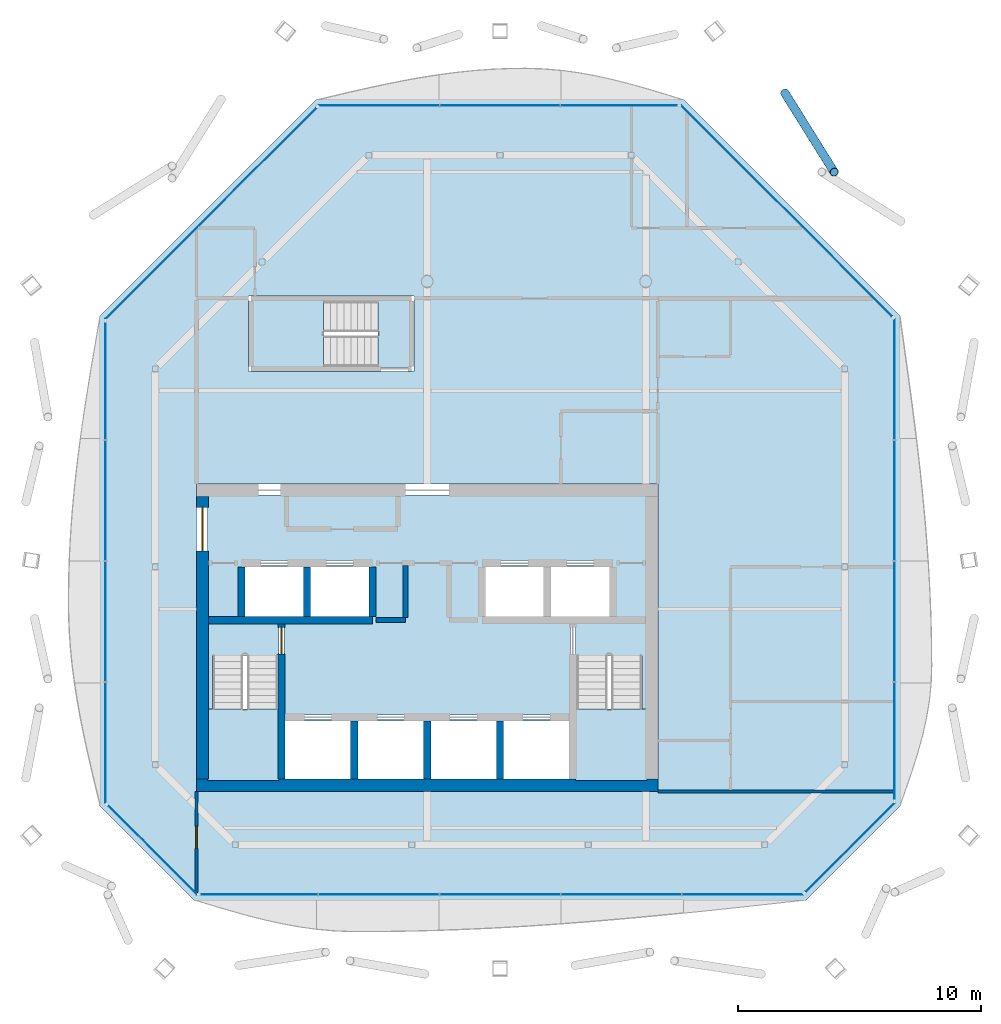
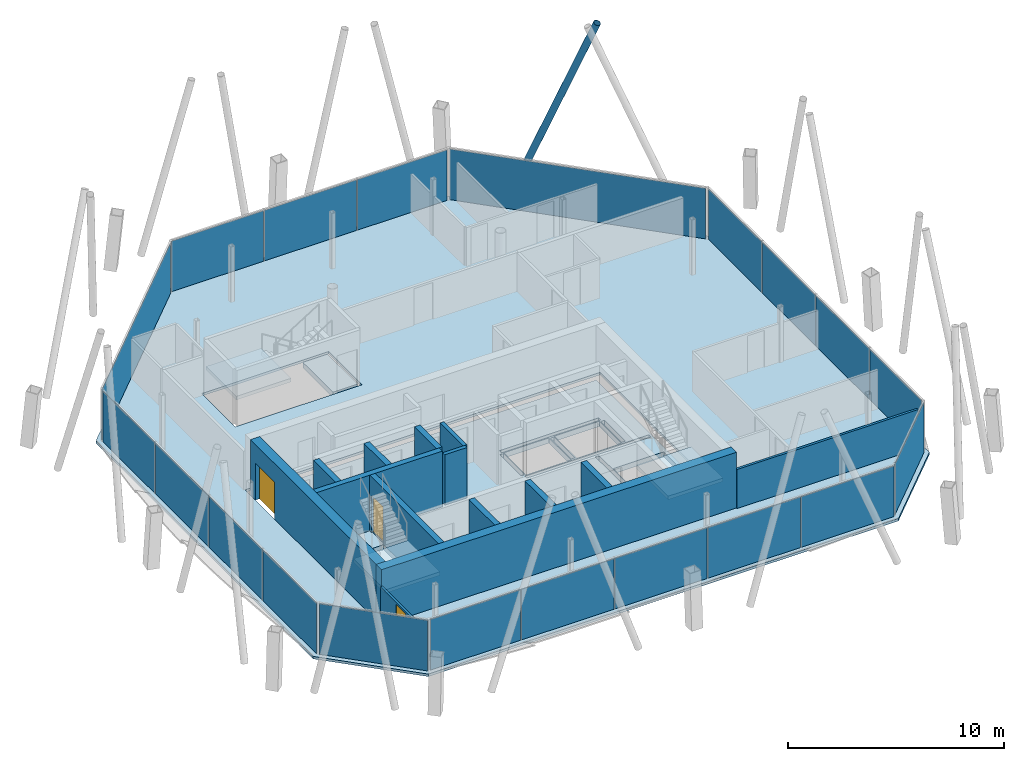
# One storey, part 9 of 14: 20 plates, 14 walls, 6 slabs, 3 doors, 1 member, 3 openings, 11 elements without a shape of their own.
"""IFC4 building model written with IfcOpenShell, lengths in metres."""

from ifc_helpers import new_model, si_unit, direction, frame, frame_2d, origin, origin_2d, place, context, subcontext, project, spatial, polyline, rectangle, hollow_circle, outline, extrude, material, layer, layer_set, material_profile, profile_set, type_object, element, fill, aggregate, save


model = new_model("IFC4")

# Units and contexts
model_context = context("Model", 3, precision=1e-05, world=origin(), true_north=direction((0.0, 1.0)))
body_context = subcontext(model_context, "Body", "Model", "MODEL_VIEW")
ifc_project = project(units=[si_unit("LENGTHUNIT", "METRE"), si_unit("AREAUNIT", "SQUARE_METRE"), si_unit("VOLUMEUNIT", "CUBIC_METRE"), si_unit("PLANEANGLEUNIT", "RADIAN"), si_unit("MASSUNIT", "GRAM", prefix="KILO")], contexts=[model_context])

# Site, building, storey
site_placement = place(None, origin())
site = spatial("IfcSite", under=ifc_project, at=site_placement, CompositionType="ELEMENT")
building_placement = place(site_placement, origin())
building = spatial("IfcBuilding", under=site, at=building_placement, Name="Tskaro Facet Tower", CompositionType="ELEMENT")
storey_placement = place(building_placement, frame((0.0, 0.0, 268.949951171875)))
storey = spatial("IfcBuildingStorey", under=building, at=storey_placement, Name="L71", CompositionType="ELEMENT", Elevation=268.949951171875)

# Member
ifc_material_1 = material(Name="Steel S355J2H", Category="steel")
ifc_material_profile = material_profile(ifc_material_1, hollow_circle(Radius=0.177734375, WallThickness=0.01611328125, at=origin_2d()), Name="CHS 355.6x16")
ifc_profile_set = profile_set([ifc_material_profile], Name="Steel S355J2H")
member_type = type_object("IfcMemberType", Name="CHS 355.6x16 brace", PredefinedType="BRACE", material=ifc_profile_set)
member_placement = place(storey_placement, frame((14.730224609375, 16.759033203125, 0.0), z_axis=(0.199244037446, -0.31955632288, 0.926383057946), x_axis=(0.848569080669, 0.529084601301, 0.0)))
element("IfcMember", 1, at=member_placement, inside=storey, type_object=member_type, Name="CHS 355.6x16 XB06B/6", PredefinedType="BRACE", context=body_context, shape_type="SweptSolid", body=[
    extrude(hollow_circle(Radius=0.177734375, WallThickness=0.01611328125, at=origin_2d()), origin(), (0.0, 0.0, 1.0), 10.200927734375),
])

# Slab
ifc_material_2 = material(Name="Concrete C30/37", Category="concrete")
ifc_layer_1 = layer(ifc_material_2, 0.139892578125, Name="Concrete C30/37")
ifc_layer_set_1 = layer_set([ifc_layer_1], Name="Concrete C30/37")
slab_type_1 = type_object("IfcSlabType", Name="Composite deck floor slab", PredefinedType="FLOOR", material=ifc_layer_set_1)
slab_1_placement = place(storey_placement, frame((0.0, 0.0, -0.139892578125)))
element("IfcSlab", 2, at=slab_1_placement, inside=storey, type_object=slab_type_1, Name="Floor slab FS3 L71", PredefinedType="FLOOR", context=body_context, shape_type="SweptSolid", body=[
    extrude(outline(polyline([(-9.5830078125, -16.49609375), (15.5830078125, -16.49609375), (19.49609375, -12.5830078125), (19.49609375, 7.56103515625), (10.56103515625, 16.49609375), (-4.56103515625, 16.49609375), (-13.49609375, 7.56103515625), (-13.49609375, -12.5830078125), (-9.5830078125, -16.49609375)]), holes=[polyline([(-9.5, -12.0), (9.5, -12.0), (9.5, 0.64990234375), (-9.5, 0.64990234375), (-9.5, -12.0)]), polyline([(-7.35009765625, 5.300048828125), (-0.550048828125, 5.300048828125), (-0.550048828125, 8.39990234375), (-7.35009765625, 8.39990234375), (-7.35009765625, 5.300048828125)])]), origin(), (0.0, 0.0, 1.0), 0.139892578125),
])

# Curtain wall, plates
ifc_material_3 = material(Name="Bronze anodised aluminium 6063-T6", Category="aluminium")
curtain_wall_type = type_object("IfcCurtainWallType", Name="Bronze residence curtain wall (FW3)", PredefinedType="NOTDEFINED", material=ifc_material_3)
curtain_wall_1_placement = place(storey_placement, origin())
curtain_wall_1 = element("IfcCurtainWall", 3, at=curtain_wall_1_placement, inside=storey, type_object=curtain_wall_type, Name="FW3 south facet L71", PredefinedType="NOTDEFINED")
ifc_material_4 = material(Name="Bronze low-iron glass", Category="glass")
ifc_layer_2 = layer(ifc_material_4, 0.028076171875, Name="Bronze low-iron glass")
ifc_layer_set_2 = layer_set([ifc_layer_2], Name="Bronze low-iron glass")
plate_type = type_object("IfcPlateType", Name="FW3 bronze-tinted unit glazing 28", PredefinedType="CURTAIN_PANEL", material=ifc_layer_set_2)
plate_1_placement = place(storey_placement, frame((-6.92578125, -16.24609375, 0.0), z_axis=(0.0, 0.0, 1.0), x_axis=(1.0, 0.0, 0.0)))
plate_1 = element("IfcPlate", 4, at=plate_1_placement, type_object=plate_type, Name="FW3 south glazing 1.1", PredefinedType="CURTAIN_PANEL", context=body_context, shape_type="SweptSolid", body=[
    extrude(rectangle(XDim=4.82666015625, YDim=0.028076171875, at=origin_2d()), origin(), (0.0, 0.0, 1.0), 2.860107421875),
])
plate_2_placement = place(storey_placement, frame((-1.99169921875, -16.24609375, 0.0), z_axis=(0.0, 0.0, 1.0), x_axis=(1.0, 0.0, 0.0)))
plate_2 = element("IfcPlate", 5, at=plate_2_placement, type_object=plate_type, Name="FW3 south glazing 2.1", PredefinedType="CURTAIN_PANEL", context=body_context, shape_type="SweptSolid", body=[
    extrude(rectangle(XDim=4.941650390625, YDim=0.028076171875, at=origin_2d()), origin(), (0.0, 0.0, 1.0), 2.860107421875),
])
plate_3_placement = place(storey_placement, frame((3.0, -16.24609375, 0.0), z_axis=(0.0, 0.0, 1.0), x_axis=(1.0, 0.0, 0.0)))
plate_3 = element("IfcPlate", 6, at=plate_3_placement, type_object=plate_type, Name="FW3 south glazing 3.1", PredefinedType="CURTAIN_PANEL", context=body_context, shape_type="SweptSolid", body=[
    extrude(rectangle(XDim=4.941650390625, YDim=0.028076171875, at=origin_2d()), origin(), (0.0, 0.0, 1.0), 2.860107421875),
])
plate_4_placement = place(storey_placement, frame((7.99169921875, -16.24609375, 0.0), z_axis=(0.0, 0.0, 1.0), x_axis=(1.0, 0.0, 0.0)))
plate_4 = element("IfcPlate", 7, at=plate_4_placement, type_object=plate_type, Name="FW3 south glazing 4.1", PredefinedType="CURTAIN_PANEL", context=body_context, shape_type="SweptSolid", body=[
    extrude(rectangle(XDim=4.941650390625, YDim=0.028076171875, at=origin_2d()), origin(), (0.0, 0.0, 1.0), 2.860107421875),
])
plate_5_placement = place(storey_placement, frame((12.99560546875, -16.24609375, 0.0), z_axis=(0.0, 0.0, 1.0), x_axis=(1.0, 0.0, 0.0)))
plate_5 = element("IfcPlate", 8, at=plate_5_placement, type_object=plate_type, Name="FW3 south glazing 5.1", PredefinedType="CURTAIN_PANEL", context=body_context, shape_type="SweptSolid", body=[
    extrude(rectangle(XDim=4.966552734375, YDim=0.028076171875, at=origin_2d()), origin(), (0.0, 0.0, 1.0), 2.860107421875),
])
aggregate(curtain_wall_1, [plate_1, plate_2, plate_3, plate_4, plate_5])

# Curtain wall, plate
curtain_wall_2_placement = place(storey_placement, origin())
curtain_wall_2 = element("IfcCurtainWall", 9, at=curtain_wall_2_placement, inside=storey, type_object=curtain_wall_type, Name="FW3 south-east facet L71", PredefinedType="NOTDEFINED")
plate_6_placement = place(storey_placement, frame((17.412109375, -14.31298828125, 0.0), z_axis=(0.0, 0.0, 1.0), x_axis=(0.707106781187, 0.707106781187, 0.0)))
plate_6 = element("IfcPlate", 10, at=plate_6_placement, type_object=plate_type, Name="FW3 south-east glazing 1.1", PredefinedType="CURTAIN_PANEL", context=body_context, shape_type="SweptSolid", body=[
    extrude(rectangle(XDim=5.187255859375, YDim=0.028076171875, at=origin_2d()), origin(), (0.0, 0.0, 1.0), 2.860107421875),
])
aggregate(curtain_wall_2, [plate_6])

# Curtain wall, plates
curtain_wall_3_placement = place(storey_placement, origin())
curtain_wall_3 = element("IfcCurtainWall", 11, at=curtain_wall_3_placement, inside=storey, type_object=curtain_wall_type, Name="FW3 east facet L71", PredefinedType="NOTDEFINED")
plate_7_placement = place(storey_placement, frame((19.24609375, -9.929443359375, 0.0), z_axis=(0.0, 0.0, 1.0), x_axis=(0.0, 1.0, 0.0)))
plate_7 = element("IfcPlate", 12, at=plate_7_placement, type_object=plate_type, Name="FW3 east glazing 1.1", PredefinedType="CURTAIN_PANEL", context=body_context, shape_type="SweptSolid", body=[
    extrude(rectangle(XDim=4.819091796875, YDim=0.028076171875, at=origin_2d()), origin(), (0.0, 0.0, 1.0), 2.860107421875),
])
plate_8_placement = place(storey_placement, frame((19.24609375, -5.0029296875, 0.0), z_axis=(0.0, 0.0, 1.0), x_axis=(0.0, 1.0, 0.0)))
plate_8 = element("IfcPlate", 13, at=plate_8_placement, type_object=plate_type, Name="FW3 east glazing 2.1", PredefinedType="CURTAIN_PANEL", context=body_context, shape_type="SweptSolid", body=[
    extrude(rectangle(XDim=4.93408203125, YDim=0.028076171875, at=origin_2d()), origin(), (0.0, 0.0, 1.0), 2.860107421875),
])
plate_9_placement = place(storey_placement, frame((19.24609375, -0.01904296875, 0.0), z_axis=(0.0, 0.0, 1.0), x_axis=(0.0, 1.0, 0.0)))
plate_9 = element("IfcPlate", 14, at=plate_9_placement, type_object=plate_type, Name="FW3 east glazing 3.1", PredefinedType="CURTAIN_PANEL", context=body_context, shape_type="SweptSolid", body=[
    extrude(rectangle(XDim=4.93408203125, YDim=0.028076171875, at=origin_2d()), origin(), (0.0, 0.0, 1.0), 2.860107421875),
])
plate_10_placement = place(storey_placement, frame((19.24609375, 4.9775390625, 0.0), z_axis=(0.0, 0.0, 1.0), x_axis=(0.0, 1.0, 0.0)))
plate_10 = element("IfcPlate", 15, at=plate_10_placement, type_object=plate_type, Name="FW3 east glazing 4.1", PredefinedType="CURTAIN_PANEL", context=body_context, shape_type="SweptSolid", body=[
    extrude(rectangle(XDim=4.958984375, YDim=0.028076171875, at=origin_2d()), origin(), (0.0, 0.0, 1.0), 2.860107421875),
])
aggregate(curtain_wall_3, [plate_7, plate_8, plate_9, plate_10])

# Curtain wall, plate
curtain_wall_4_placement = place(storey_placement, origin())
curtain_wall_4 = element("IfcCurtainWall", 16, at=curtain_wall_4_placement, inside=storey, type_object=curtain_wall_type, Name="FW3 north-east facet L71", PredefinedType="NOTDEFINED")
plate_11_placement = place(storey_placement, frame((14.802001953125, 11.90087890625, 0.0), z_axis=(0.0, 0.0, 1.0), x_axis=(-0.707106781187, 0.707106781187, 0.0)))
plate_11 = element("IfcPlate", 17, at=plate_11_placement, type_object=plate_type, Name="FW3 north-east glazing 1.1", PredefinedType="CURTAIN_PANEL", context=body_context, shape_type="SweptSolid", body=[
    extrude(rectangle(XDim=12.28955078125, YDim=0.028076171875, at=origin_2d()), origin(), (0.0, 0.0, 1.0), 2.860107421875),
])
aggregate(curtain_wall_4, [plate_11])

# Curtain wall, plates
curtain_wall_5_placement = place(storey_placement, origin())
curtain_wall_5 = element("IfcCurtainWall", 18, at=curtain_wall_5_placement, inside=storey, type_object=curtain_wall_type, Name="FW3 north facet L71", PredefinedType="NOTDEFINED")
plate_12_placement = place(storey_placement, frame((7.913818359375, 16.24609375, 0.0), z_axis=(0.0, 0.0, 1.0), x_axis=(-1.0, 0.0, 0.0)))
plate_12 = element("IfcPlate", 19, at=plate_12_placement, type_object=plate_type, Name="FW3 north glazing 1.1", PredefinedType="CURTAIN_PANEL", context=body_context, shape_type="SweptSolid", body=[
    extrude(rectangle(XDim=4.806396484375, YDim=0.028076171875, at=origin_2d()), origin(), (0.0, 0.0, 1.0), 2.860107421875),
])
plate_13_placement = place(storey_placement, frame((3.0, 16.24609375, 0.0), z_axis=(0.0, 0.0, 1.0), x_axis=(-1.0, 0.0, 0.0)))
plate_13 = element("IfcPlate", 20, at=plate_13_placement, type_object=plate_type, Name="FW3 north glazing 2.1", PredefinedType="CURTAIN_PANEL", context=body_context, shape_type="SweptSolid", body=[
    extrude(rectangle(XDim=4.92138671875, YDim=0.028076171875, at=origin_2d()), origin(), (0.0, 0.0, 1.0), 2.860107421875),
])
plate_14_placement = place(storey_placement, frame((-1.98388671875, 16.24609375, 0.0), z_axis=(0.0, 0.0, 1.0), x_axis=(-1.0, 0.0, 0.0)))
plate_14 = element("IfcPlate", 21, at=plate_14_placement, type_object=plate_type, Name="FW3 north glazing 3.1", PredefinedType="CURTAIN_PANEL", context=body_context, shape_type="SweptSolid", body=[
    extrude(rectangle(XDim=4.9462890625, YDim=0.028076171875, at=origin_2d()), origin(), (0.0, 0.0, 1.0), 2.860107421875),
])
aggregate(curtain_wall_5, [plate_12, plate_13, plate_14])

# Curtain wall, plate
curtain_wall_6_placement = place(storey_placement, origin())
curtain_wall_6 = element("IfcCurtainWall", 22, at=curtain_wall_6_placement, inside=storey, type_object=curtain_wall_type, Name="FW3 north-west facet L71", PredefinedType="NOTDEFINED")
plate_15_placement = place(storey_placement, frame((-8.90087890625, 11.802001953125, 0.0), z_axis=(0.0, 0.0, 1.0), x_axis=(-0.707106781187, -0.707106781187, 0.0)))
plate_15 = element("IfcPlate", 23, at=plate_15_placement, type_object=plate_type, Name="FW3 north-west glazing 1.1", PredefinedType="CURTAIN_PANEL", context=body_context, shape_type="SweptSolid", body=[
    extrude(rectangle(XDim=12.28955078125, YDim=0.028076171875, at=origin_2d()), origin(), (0.0, 0.0, 1.0), 2.860107421875),
])
aggregate(curtain_wall_6, [plate_15])

# Curtain wall, plates
curtain_wall_7_placement = place(storey_placement, origin())
curtain_wall_7 = element("IfcCurtainWall", 24, at=curtain_wall_7_placement, inside=storey, type_object=curtain_wall_type, Name="FW3 west facet L71", PredefinedType="NOTDEFINED")
plate_16_placement = place(storey_placement, frame((-13.24609375, 4.907470703125, 0.0), z_axis=(0.0, 0.0, 1.0), x_axis=(0.0, -1.0, 0.0)))
plate_16 = element("IfcPlate", 25, at=plate_16_placement, type_object=plate_type, Name="FW3 west glazing 1.1", PredefinedType="CURTAIN_PANEL", context=body_context, shape_type="SweptSolid", body=[
    extrude(rectangle(XDim=4.819091796875, YDim=0.028076171875, at=origin_2d()), origin(), (0.0, 0.0, 1.0), 2.860107421875),
])
plate_17_placement = place(storey_placement, frame((-13.24609375, -0.01904296875, 0.0), z_axis=(0.0, 0.0, 1.0), x_axis=(0.0, -1.0, 0.0)))
plate_17 = element("IfcPlate", 26, at=plate_17_placement, type_object=plate_type, Name="FW3 west glazing 2.1", PredefinedType="CURTAIN_PANEL", context=body_context, shape_type="SweptSolid", body=[
    extrude(rectangle(XDim=4.93408203125, YDim=0.028076171875, at=origin_2d()), origin(), (0.0, 0.0, 1.0), 2.860107421875),
])
plate_18_placement = place(storey_placement, frame((-13.24609375, -5.0029296875, 0.0), z_axis=(0.0, 0.0, 1.0), x_axis=(0.0, -1.0, 0.0)))
plate_18 = element("IfcPlate", 27, at=plate_18_placement, type_object=plate_type, Name="FW3 west glazing 3.1", PredefinedType="CURTAIN_PANEL", context=body_context, shape_type="SweptSolid", body=[
    extrude(rectangle(XDim=4.93408203125, YDim=0.028076171875, at=origin_2d()), origin(), (0.0, 0.0, 1.0), 2.860107421875),
])
plate_19_placement = place(storey_placement, frame((-13.24609375, -9.99951171875, 0.0), z_axis=(0.0, 0.0, 1.0), x_axis=(0.0, -1.0, 0.0)))
plate_19 = element("IfcPlate", 28, at=plate_19_placement, type_object=plate_type, Name="FW3 west glazing 4.1", PredefinedType="CURTAIN_PANEL", context=body_context, shape_type="SweptSolid", body=[
    extrude(rectangle(XDim=4.958984375, YDim=0.028076171875, at=origin_2d()), origin(), (0.0, 0.0, 1.0), 2.860107421875),
])
aggregate(curtain_wall_7, [plate_16, plate_17, plate_18, plate_19])

# Curtain wall, plate
curtain_wall_8_placement = place(storey_placement, origin())
curtain_wall_8 = element("IfcCurtainWall", 29, at=curtain_wall_8_placement, inside=storey, type_object=curtain_wall_type, Name="FW3 south-west facet L71", PredefinedType="NOTDEFINED")
plate_20_placement = place(storey_placement, frame((-11.31298828125, -14.412109375, 0.0), z_axis=(0.0, 0.0, 1.0), x_axis=(0.707106781187, -0.707106781187, 0.0)))
plate_20 = element("IfcPlate", 30, at=plate_20_placement, type_object=plate_type, Name="FW3 south-west glazing 1.1", PredefinedType="CURTAIN_PANEL", context=body_context, shape_type="SweptSolid", body=[
    extrude(rectangle(XDim=5.187255859375, YDim=0.028076171875, at=origin_2d()), origin(), (0.0, 0.0, 1.0), 2.860107421875),
])
aggregate(curtain_wall_8, [plate_20])

# Stair, slab
ifc_material_5 = material(Name="Concrete C40/50", Category="concrete")
stair_type = type_object("IfcStairType", Name="ST-TWR", PredefinedType="HALF_TURN_STAIR", material=ifc_material_5)
stair_1_placement = place(storey_placement, origin())
stair_1 = element("IfcStair", 31, at=stair_1_placement, inside=storey, type_object=stair_type, Name="L71 Exit stair 1", PredefinedType="HALF_TURN_STAIR")
ifc_layer_3 = layer(ifc_material_5, 0.199951171875, Name="Concrete C40/50")
ifc_layer_set_3 = layer_set([ifc_layer_3], Name="Concrete C40/50")
slab_type_2 = type_object("IfcSlabType", Name="SL-LANDING", PredefinedType="LANDING", material=ifc_layer_set_3)
slab_2_placement = place(storey_placement, frame((0.0, 0.0, 1.375)))
slab_2 = element("IfcSlab", 32, at=slab_2_placement, type_object=slab_type_2, Name="ST-1 landing 1", PredefinedType="LANDING", context=body_context, shape_type="SweptSolid", body=[
    extrude(outline(polyline([(-9.050048828125, -11.550048828125), (-6.10009765625, -11.550048828125), (-6.10009765625, -8.614990234375), (-9.050048828125, -8.614990234375), (-9.050048828125, -11.550048828125)])), origin(), (0.0, 0.0, 1.0), 0.199951171875),
])
aggregate(stair_1, [slab_2])

stair_2_placement = place(storey_placement, origin())
stair_2 = element("IfcStair", 33, at=stair_2_placement, inside=storey, type_object=stair_type, Name="L71 Exit stair 2", PredefinedType="HALF_TURN_STAIR")
slab_3_placement = place(storey_placement, frame((0.0, 0.0, 1.375)))
slab_3 = element("IfcSlab", 34, at=slab_3_placement, type_object=slab_type_2, Name="ST-2 landing 1", PredefinedType="LANDING", context=body_context, shape_type="SweptSolid", body=[
    extrude(outline(polyline([(6.10009765625, -11.550048828125), (9.050048828125, -11.550048828125), (9.050048828125, -8.614990234375), (6.10009765625, -8.614990234375), (6.10009765625, -11.550048828125)])), origin(), (0.0, 0.0, 1.0), 0.199951171875),
])
aggregate(stair_2, [slab_3])

stair_3_placement = place(storey_placement, origin())
stair_3 = element("IfcStair", 35, at=stair_3_placement, inside=storey, type_object=stair_type, Name="L71 Exit stair 3", PredefinedType="HALF_TURN_STAIR")
slab_4_placement = place(storey_placement, frame((0.0, 0.0, 1.375)))
slab_4 = element("IfcSlab", 36, at=slab_4_placement, type_object=slab_type_2, Name="ST-3 landing 1", PredefinedType="LANDING", context=body_context, shape_type="SweptSolid", body=[
    extrude(outline(polyline([(-7.199951171875, 5.449951171875), (-4.264892578125, 5.449951171875), (-4.264892578125, 8.25), (-7.199951171875, 8.25), (-7.199951171875, 5.449951171875)])), origin(), (0.0, 0.0, 1.0), 0.199951171875),
])
aggregate(stair_3, [slab_4])

# Slabs
ifc_material_6 = material(Name="Concrete C60/75", Category="concrete")
ifc_layer_4 = layer(ifc_material_6, 0.300048828125, Name="Concrete C60/75")
ifc_layer_set_4 = layer_set([ifc_layer_4], Name="Concrete C60/75")
slab_type_3 = type_object("IfcSlabType", Name="SLAB-CORE", PredefinedType="FLOOR", material=ifc_layer_set_4)
slab_5_placement = place(storey_placement, frame((0.0, 0.0, -0.300048828125)))
element("IfcSlab", 37, at=slab_5_placement, inside=storey, type_object=slab_type_3, Name="Core floor slab 1", PredefinedType="FLOOR", context=body_context, shape_type="SweptSolid", body=[
    extrude(outline(polyline([(-9.050048828125, 0.199951171875), (9.050048828125, 0.199951171875), (9.050048828125, 0.10009765625), (9.050048828125, -11.449951171875), (9.050048828125, -11.550048828125), (-9.050048828125, -11.550048828125), (-9.050048828125, -11.449951171875), (-9.050048828125, 0.10009765625), (-9.050048828125, 0.199951171875)]), holes=[polyline([(-5.85009765625, -9.10009765625), (-5.85009765625, -11.5), (-3.14990234375, -11.5), (-3.14990234375, -9.10009765625), (-5.85009765625, -9.10009765625)]), polyline([(-3.10009765625, -11.449951171875), (-2.89990234375, -11.449951171875), (-2.89990234375, -9.14990234375), (-3.10009765625, -9.14990234375), (-3.10009765625, -11.449951171875)]), polyline([(-2.85009765625, -9.10009765625), (-2.85009765625, -11.5), (-0.14990234375, -11.5), (-0.14990234375, -9.10009765625), (-2.85009765625, -9.10009765625)]), polyline([(-6.10009765625, -11.449951171875), (-5.89990234375, -11.449951171875), (-5.89990234375, -5.14990234375), (-6.10009765625, -5.14990234375), (-6.10009765625, -11.449951171875)]), polyline([(-8.949951171875, -5.050048828125), (-2.300048828125, -5.050048828125), (-2.300048828125, -4.85009765625), (-8.949951171875, -4.85009765625), (-8.949951171875, -5.050048828125)]), polyline([(-7.75, -4.75), (-7.550048828125, -4.75), (-7.550048828125, -2.800048828125), (-7.75, -2.800048828125), (-7.75, -4.75)]), polyline([(-5.10009765625, -4.800048828125), (-5.10009765625, -2.75), (-7.5, -2.75), (-7.5, -4.800048828125), (-5.10009765625, -4.800048828125)]), polyline([(-5.050048828125, -4.75), (-4.85009765625, -4.75), (-4.85009765625, -2.800048828125), (-5.050048828125, -2.800048828125), (-5.050048828125, -4.75)]), polyline([(-4.800048828125, -4.800048828125), (-2.39990234375, -4.800048828125), (-2.39990234375, -2.75), (-4.800048828125, -2.75), (-4.800048828125, -4.800048828125)]), polyline([(-2.35009765625, -4.75), (-2.14990234375, -4.75), (-2.14990234375, -2.800048828125), (-2.35009765625, -2.800048828125), (-2.35009765625, -4.75)]), polyline([(-7.60009765625, -2.699951171875), (-2.300048828125, -2.699951171875), (-2.300048828125, -2.5), (-7.60009765625, -2.5), (-7.60009765625, -2.699951171875)]), polyline([(-0.10009765625, -11.449951171875), (0.10009765625, -11.449951171875), (0.10009765625, -9.14990234375), (-0.10009765625, -9.14990234375), (-0.10009765625, -11.449951171875)]), polyline([(0.14990234375, -9.10009765625), (0.14990234375, -11.5), (2.85009765625, -11.5), (2.85009765625, -9.10009765625), (0.14990234375, -9.10009765625)]), polyline([(2.89990234375, -11.449951171875), (3.10009765625, -11.449951171875), (3.10009765625, -9.14990234375), (2.89990234375, -9.14990234375), (2.89990234375, -11.449951171875)]), polyline([(3.14990234375, -9.10009765625), (3.14990234375, -11.5), (5.85009765625, -11.5), (5.85009765625, -9.10009765625), (3.14990234375, -9.10009765625)]), polyline([(-5.800048828125, -9.050048828125), (5.800048828125, -9.050048828125), (5.800048828125, -8.85009765625), (-5.800048828125, -8.85009765625), (-5.800048828125, -9.050048828125)]), polyline([(5.89990234375, -11.449951171875), (6.10009765625, -11.449951171875), (6.10009765625, -5.14990234375), (5.89990234375, -5.14990234375), (5.89990234375, -11.449951171875)]), polyline([(2.300048828125, -5.050048828125), (8.949951171875, -5.050048828125), (8.949951171875, -4.85009765625), (2.300048828125, -4.85009765625), (2.300048828125, -5.050048828125)]), polyline([(2.14990234375, -4.75), (2.35009765625, -4.75), (2.35009765625, -2.800048828125), (2.14990234375, -2.800048828125), (2.14990234375, -4.75)]), polyline([(2.39990234375, -2.75), (2.39990234375, -4.800048828125), (4.800048828125, -4.800048828125), (4.800048828125, -2.75), (2.39990234375, -2.75)]), polyline([(4.85009765625, -4.75), (5.050048828125, -4.75), (5.050048828125, -2.800048828125), (4.85009765625, -2.800048828125), (4.85009765625, -4.75)]), polyline([(5.10009765625, -2.75), (5.10009765625, -4.800048828125), (7.5, -4.800048828125), (7.5, -2.75), (5.10009765625, -2.75)]), polyline([(7.550048828125, -4.75), (7.75, -4.75), (7.75, -2.800048828125), (7.550048828125, -2.800048828125), (7.550048828125, -4.75)]), polyline([(2.300048828125, -2.699951171875), (7.60009765625, -2.699951171875), (7.60009765625, -2.5), (2.300048828125, -2.5), (2.300048828125, -2.699951171875)]), polyline([(-8.85009765625, -11.5), (-6.14990234375, -11.5), (-6.14990234375, -6.39501953125), (-8.85009765625, -6.39501953125), (-8.85009765625, -11.5)]), polyline([(6.14990234375, -6.39501953125), (6.14990234375, -11.5), (8.85009765625, -11.5), (8.85009765625, -6.39501953125), (6.14990234375, -6.39501953125)])]), origin(), (0.0, 0.0, 1.0), 0.300048828125),
])
slab_6_placement = place(storey_placement, frame((0.0, 0.0, -0.300048828125)))
element("IfcSlab", 38, at=slab_6_placement, inside=storey, type_object=slab_type_3, Name="Stair 3 floor landing 1", PredefinedType="FLOOR", context=body_context, shape_type="SweptSolid", body=[
    extrude(outline(polyline([(-2.02490234375, 5.449951171875), (-0.699951171875, 5.449951171875), (-0.699951171875, 8.25), (-2.02490234375, 8.25), (-2.02490234375, 5.449951171875)])), origin(), (0.0, 0.0, 1.0), 0.300048828125),
])

# Walls
ifc_layer_5 = layer(ifc_material_6, 0.300048828125, Name="Concrete C60/75")
ifc_layer_set_5 = layer_set([ifc_layer_5], Name="Concrete C60/75")
wall_type_1 = type_object("IfcWallType", Name="CORE-SHAFT", PredefinedType="SHEAR", material=ifc_layer_set_5)
wall_1_placement = place(storey_placement, frame((-9.0, -4.949951171875, 0.0), z_axis=(0.0, 0.0, 1.0), x_axis=(1.0, 0.0, 0.0)))
element("IfcWall", 39, at=wall_1_placement, inside=storey, type_object=wall_type_1, Name="Shaft wall W005", PredefinedType="SHEAR", context=body_context, shape_type="SweptSolid", body=[
    extrude(rectangle(XDim=6.75, YDim=0.300048828125, at=frame_2d((3.375, 0.0))), origin(), (0.0, 0.0, 1.0), 3.150146484375),
])
wall_2_placement = place(storey_placement, frame((-7.64990234375, -4.800048828125, 0.0), z_axis=(0.0, 0.0, 1.0), x_axis=(0.0, 1.0, 0.0)))
element("IfcWall", 40, at=wall_2_placement, inside=storey, type_object=wall_type_1, Name="Shaft wall W029", PredefinedType="SHEAR", context=body_context, shape_type="SweptSolid", body=[
    extrude(rectangle(XDim=2.050048828125, YDim=0.300048828125, at=frame_2d((1.02490234375, 0.0))), origin(), (0.0, 0.0, 1.0), 3.150146484375),
])

# Wall, opening, door
wall_3_placement = place(storey_placement, frame((-6.0, -11.5, 0.0), z_axis=(0.0, 0.0, 1.0), x_axis=(0.0, 1.0, 0.0)))
wall_3 = element("IfcWall", 41, at=wall_3_placement, inside=storey, type_object=wall_type_1, Name="Shaft wall W032", PredefinedType="SHEAR", context=body_context, shape_type="SweptSolid", body=[
    extrude(rectangle(XDim=6.39990234375, YDim=0.300048828125, at=frame_2d((3.199951171875, 0.0))), origin(), (0.0, 0.0, 1.0), 3.150146484375),
])
opening_1_placement = place(wall_3_placement, frame((5.14990234375, 0.0, 0.0)))
opening_1 = element("IfcOpeningElement", 42, at=opening_1_placement, cuts=wall_3, Name="Opening ST-1-D1", PredefinedType="OPENING", context=body_context, shape_type="SweptSolid", body=[
    extrude(rectangle(XDim=1.10009765625, YDim=2.10009765625, at=frame_2d((0.550048828125, 1.050048828125))), frame((0.0, 0.159912109375, 0.0), z_axis=(0.0, -1.0, 0.0), x_axis=(1.0, 0.0, 0.0)), (0.0, 0.0, 1.0), 0.320068359375),
])
ifc_material_7 = material(Name="Steel", Category="steel")
door_type_1 = type_object("IfcDoorType", Name="D-STAIR", OperationType="NOTDEFINED", PredefinedType="DOOR", material=ifc_material_7)
door_1_placement = place(opening_1_placement, origin())
door_1 = element("IfcDoor", 43, at=door_1_placement, inside=storey, type_object=door_type_1, Name="Stair door 1", OperationType="SINGLE_SWING_LEFT", OverallHeight=2.10009765625, OverallWidth=1.10009765625, PredefinedType="DOOR", context=body_context, shape_type="SweptSolid", body=[
    extrude(rectangle(XDim=1.10009765625, YDim=2.10009765625, at=frame_2d((0.550048828125, 1.050048828125))), frame((0.0, 0.02490234375, 0.0), z_axis=(0.0, -1.0, 0.0), x_axis=(1.0, 0.0, 0.0)), (0.0, 0.0, 1.0), 0.050048828125),
])
fill(opening_1, door_1)

# Walls
wall_4_placement = place(storey_placement, frame((-4.949951171875, -4.800048828125, 0.0), z_axis=(0.0, 0.0, 1.0), x_axis=(0.0, 1.0, 0.0)))
element("IfcWall", 44, at=wall_4_placement, inside=storey, type_object=wall_type_1, Name="Shaft wall W034", PredefinedType="SHEAR", context=body_context, shape_type="SweptSolid", body=[
    extrude(rectangle(XDim=2.050048828125, YDim=0.300048828125, at=frame_2d((1.02490234375, 0.0))), origin(), (0.0, 0.0, 1.0), 3.150146484375),
])
wall_5_placement = place(storey_placement, frame((-3.0, -11.5, 0.0), z_axis=(0.0, 0.0, 1.0), x_axis=(0.0, 1.0, 0.0)))
element("IfcWall", 45, at=wall_5_placement, inside=storey, type_object=wall_type_1, Name="Shaft wall W035", PredefinedType="SHEAR", context=body_context, shape_type="SweptSolid", body=[
    extrude(rectangle(XDim=2.39990234375, YDim=0.300048828125, at=frame_2d((1.199951171875, 0.0))), origin(), (0.0, 0.0, 1.0), 3.150146484375),
])
wall_6_placement = place(storey_placement, frame((-2.25, -4.800048828125, 0.0), z_axis=(0.0, 0.0, 1.0), x_axis=(0.0, 1.0, 0.0)))
element("IfcWall", 46, at=wall_6_placement, inside=storey, type_object=wall_type_1, Name="Shaft wall W036", PredefinedType="SHEAR", context=body_context, shape_type="SweptSolid", body=[
    extrude(rectangle(XDim=2.050048828125, YDim=0.300048828125, at=frame_2d((1.02490234375, 0.0))), origin(), (0.0, 0.0, 1.0), 3.150146484375),
])
for number, where, z_axis, x_axis, name in (
    (47, (0.0, -11.5, 0.0), (0.0, 0.0, 1.0), (0.0, 1.0, 0.0), "Shaft wall W040"),
    (48, (3.0, -11.5, 0.0), (0.0, 0.0, 1.0), (0.0, 1.0, 0.0), "Shaft wall W043"),
):
    element("IfcWall", number, at=place(storey_placement, frame(where, z_axis=z_axis, x_axis=x_axis)), inside=storey, type_object=wall_type_1, Name=name, PredefinedType="SHEAR", context=body_context, shape_type="SweptSolid", body=[
        extrude(rectangle(XDim=2.39990234375, YDim=0.300048828125, at=frame_2d((1.199951171875, 0.0))), origin(), (0.0, 0.0, 1.0), 3.150146484375),
    ])
ifc_material_8 = material(Name="Concrete C20/25", Category="concrete")
ifc_layer_6 = layer(ifc_material_8, 0.199951171875, Name="Concrete C20/25")
ifc_layer_set_6 = layer_set([ifc_layer_6], Name="Concrete C20/25")
wall_type_2 = type_object("IfcWallType", Name="CORE-WALL", PredefinedType="SOLIDWALL", material=ifc_layer_set_6)
wall_7_placement = place(storey_placement, frame((-2.10009765625, -4.949951171875, 0.0), z_axis=(0.0, 0.0, 1.0), x_axis=(1.0, 0.0, 0.0)))
element("IfcWall", 49, at=wall_7_placement, inside=storey, type_object=wall_type_2, Name="Core room wall W006", PredefinedType="SOLIDWALL", context=body_context, shape_type="SweptSolid", body=[
    extrude(rectangle(XDim=1.2001953125, YDim=0.199951171875, at=frame_2d((0.60009765625, 0.0))), origin(), (0.0, 0.0, 1.0), 2.85009765625),
])
wall_8_placement = place(storey_placement, frame((-0.89990234375, -4.85009765625, 0.0), z_axis=(0.0, 0.0, 1.0), x_axis=(0.0, 1.0, 0.0)))
element("IfcWall", 50, at=wall_8_placement, inside=storey, type_object=wall_type_2, Name="Core room wall W038", PredefinedType="SOLIDWALL", context=body_context, shape_type="SweptSolid", body=[
    extrude(rectangle(XDim=2.150146484375, YDim=0.199951171875, at=frame_2d((1.0751953125, 0.0))), origin(), (0.0, 0.0, 1.0), 2.85009765625),
])
ifc_layer_7 = layer(ifc_material_5, 0.5, Name="Concrete C40/50")
ifc_layer_set_7 = layer_set([ifc_layer_7], Name="Concrete C40/50")
wall_type_3 = type_object("IfcWallType", Name="Core wall 500", PredefinedType="SHEAR", material=ifc_layer_set_7)
wall_9_placement = place(storey_placement, frame((-9.5, -11.75, 0.0), z_axis=(0.0, 0.0, 1.0), x_axis=(1.0, 0.0, 0.0)))
element("IfcWall", 51, at=wall_9_placement, inside=storey, type_object=wall_type_3, Name="Core wall CW-Z3S", PredefinedType="SHEAR", context=body_context, shape_type="SweptSolid", body=[
    extrude(rectangle(XDim=19.0, YDim=0.5, at=frame_2d((9.5, 0.0))), origin(), (0.0, 0.0, 1.0), 3.150146484375),
])

# Wall, opening, door
wall_10_placement = place(storey_placement, frame((-9.25, -11.5, 0.0), z_axis=(0.0, 0.0, 1.0), x_axis=(0.0, 1.0, 0.0)))
wall_10 = element("IfcWall", 52, at=wall_10_placement, inside=storey, type_object=wall_type_3, Name="Core wall CW-Z3W", PredefinedType="SHEAR", context=body_context, shape_type="SweptSolid", body=[
    extrude(rectangle(XDim=11.64990234375, YDim=0.5, at=frame_2d((5.824951171875, 0.0))), origin(), (0.0, 0.0, 1.0), 3.150146484375),
])
opening_2_placement = place(wall_10_placement, frame((9.39990234375, 0.0, 0.0)))
opening_2 = element("IfcOpeningElement", 53, at=opening_2_placement, cuts=wall_10, Name="Opening T21-D09", PredefinedType="OPENING", context=body_context, shape_type="SweptSolid", body=[
    extrude(rectangle(XDim=1.800048828125, YDim=2.10009765625, at=frame_2d((0.89990234375, 1.050048828125))), frame((0.0, 0.260009765625, 0.0), z_axis=(0.0, -1.0, 0.0), x_axis=(1.0, 0.0, 0.0)), (0.0, 0.0, 1.0), 0.52001953125),
])
door_type_2 = type_object("IfcDoorType", Name="D-CORE-PAIR", OperationType="NOTDEFINED", PredefinedType="DOOR", material=ifc_material_7)
door_2_placement = place(opening_2_placement, origin())
door_2 = element("IfcDoor", 54, at=door_2_placement, inside=storey, type_object=door_type_2, Name="Door T21-D09", OperationType="DOUBLE_DOOR_SINGLE_SWING", OverallHeight=2.10009765625, OverallWidth=1.800048828125, PredefinedType="DOOR", context=body_context, shape_type="SweptSolid", body=[
    extrude(rectangle(XDim=1.800048828125, YDim=2.10009765625, at=frame_2d((0.89990234375, 1.050048828125))), frame((0.0, 0.02490234375, 0.0), z_axis=(0.0, -1.0, 0.0), x_axis=(1.0, 0.0, 0.0)), (0.0, 0.0, 1.0), 0.050048828125),
])
fill(opening_2, door_2)

# Wall
ifc_material_9 = material(Name="Gypsum board on steel studs", Category="steel")
ifc_layer_8 = layer(ifc_material_9, 0.125, Name="Gypsum board on steel studs")
ifc_layer_set_8 = layer_set([ifc_layer_8], Name="Gypsum board on steel studs")
wall_type_4 = type_object("IfcWallType", Name="PART", PredefinedType="PARTITIONING", material=ifc_layer_set_8)
wall_11_placement = place(storey_placement, frame((9.5, -12.0, 0.0), z_axis=(0.0, 0.0, 1.0), x_axis=(1.0, 0.0, 0.0)))
element("IfcWall", 55, at=wall_11_placement, inside=storey, type_object=wall_type_4, Name="Partition W001", PredefinedType="PARTITIONING", context=body_context, shape_type="SweptSolid", body=[
    extrude(rectangle(XDim=9.695068359375, YDim=0.125, at=frame_2d((4.84765625, 0.0))), origin(), (0.0, 0.0, 1.0), 2.2099609375),
])

# Wall, opening, door
wall_12_placement = place(storey_placement, frame((-9.5, -12.0, 0.0), z_axis=(0.0, 0.0, 1.0), x_axis=(0.0, -1.0, 0.0)))
wall_12 = element("IfcWall", 56, at=wall_12_placement, inside=storey, type_object=wall_type_4, Name="Partition W026", PredefinedType="PARTITIONING", context=body_context, shape_type="SweptSolid", body=[
    extrude(rectangle(XDim=4.155029296875, YDim=0.125, at=frame_2d((2.07763671875, 0.0))), origin(), (0.0, 0.0, 1.0), 2.2099609375),
])
opening_3_placement = place(wall_12_placement, frame((1.446044921875, 0.0, 0.0)))
opening_3 = element("IfcOpeningElement", 57, at=opening_3_placement, cuts=wall_12, Name="Opening T21-D01", PredefinedType="OPENING", context=body_context, shape_type="SweptSolid", body=[
    extrude(rectangle(XDim=0.89990234375, YDim=2.10009765625, at=frame_2d((0.449951171875, 1.050048828125))), frame((0.0, 0.072509765625, 0.0), z_axis=(0.0, -1.0, 0.0), x_axis=(1.0, 0.0, 0.0)), (0.0, 0.0, 1.0), 0.14501953125),
])
ifc_material_10 = material(Name="Timber", Category="wood")
door_type_3 = type_object("IfcDoorType", Name="D-ROOM", OperationType="NOTDEFINED", PredefinedType="DOOR", material=ifc_material_10)
door_3_placement = place(opening_3_placement, origin())
door_3 = element("IfcDoor", 58, at=door_3_placement, inside=storey, type_object=door_type_3, Name="Door T21-D01", OperationType="SINGLE_SWING_RIGHT", OverallHeight=2.10009765625, OverallWidth=0.89990234375, PredefinedType="DOOR", context=body_context, shape_type="SweptSolid", body=[
    extrude(rectangle(XDim=0.89990234375, YDim=2.10009765625, at=frame_2d((0.449951171875, 1.050048828125))), frame((0.0, 0.02490234375, 0.0), z_axis=(0.0, -1.0, 0.0), x_axis=(1.0, 0.0, 0.0)), (0.0, 0.0, 1.0), 0.050048828125),
])
fill(opening_3, door_3)

save(model, "model.ifc")
